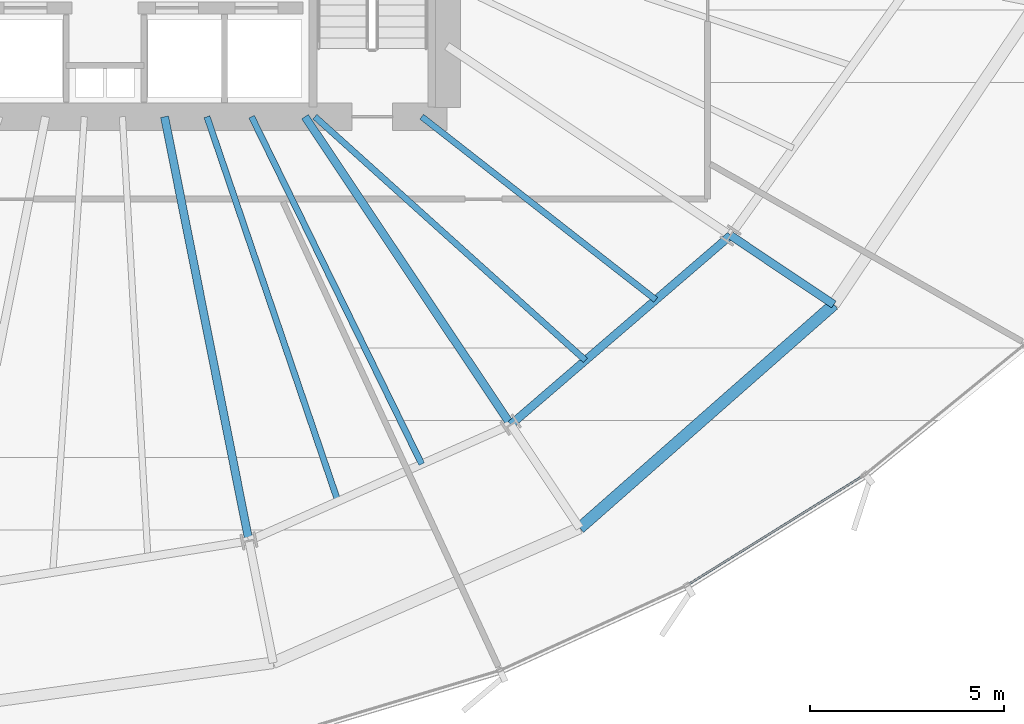
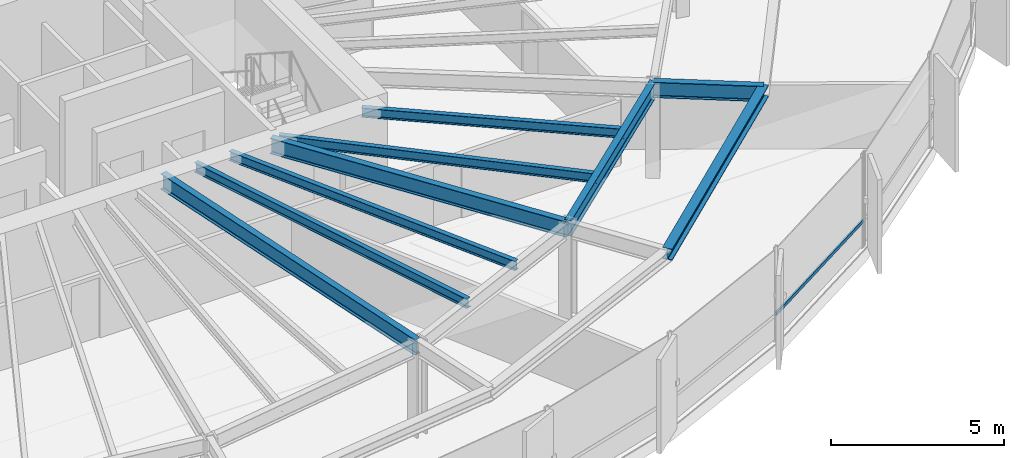
# One storey, part 12 of 35: 9 beams, 1 member, 1 element without a shape of its own.
"""IFC4 building model written with IfcOpenShell, lengths in metres."""

from ifc_helpers import new_model, si_unit, direction, frame, origin, origin_2d, place, context, subcontext, project, spatial, hollow_rectangle, i_section, extrude, source, transform, mapped, material, layer, layer_set, material_profile, profile_set, type_object, element, aggregate, save


model = new_model("IFC4")

# Units and contexts
model_context = context("Model", 3, precision=1e-05, world=origin(), true_north=direction((0.0, 1.0)))
body_context = subcontext(model_context, "Body", "Model", "MODEL_VIEW")
ifc_project = project(units=[si_unit("LENGTHUNIT", "METRE"), si_unit("AREAUNIT", "SQUARE_METRE"), si_unit("VOLUMEUNIT", "CUBIC_METRE"), si_unit("PLANEANGLEUNIT", "RADIAN"), si_unit("MASSUNIT", "GRAM", prefix="KILO"), si_unit("THERMODYNAMICTEMPERATUREUNIT", "KELVIN")], contexts=[model_context])

# Site, building, storey
site_placement = place(None, origin())
site = spatial("IfcSite", under=ifc_project, at=site_placement, CompositionType="ELEMENT")
building_placement = place(site_placement, origin())
building = spatial("IfcBuilding", under=site, at=building_placement, Name="Kethvar Cultural Tower", CompositionType="ELEMENT")
storey_placement = place(building_placement, frame((0.0, 0.0, 85.60009765625)))
storey = spatial("IfcBuildingStorey", under=building, at=storey_placement, Name="L20", CompositionType="ELEMENT", Elevation=85.60009765625)

# Beams
ifc_material_1 = material(Name="Steel S355J2", Category="steel")
ifc_material_profile_1 = material_profile(ifc_material_1, i_section(OverallWidth=0.2099609375, OverallDepth=0.550048828125, WebThickness=0.010986328125, FlangeThickness=0.01708984375, FilletRadius=0.02392578125, at=origin_2d()), Name="Steel S355J2 — IPE550")
ifc_profile_set_1 = profile_set([ifc_material_profile_1], Name="Steel S355J2 — IPE550")
beam_type_1 = type_object("IfcBeamType", Name="BM-IPE550", PredefinedType="BEAM", material=ifc_profile_set_1)
shared_shape_1 = source(origin(), body_context, "Body", "SweptSolid", [
    extrude(i_section(OverallWidth=0.2099609375, OverallDepth=0.550048828125, WebThickness=0.010986328125, FlangeThickness=0.01708984375, FilletRadius=0.02392578125, at=origin_2d()), origin(), (0.0, 0.0, 1.0), 3.199951171875),
])
beam_1_placement = place(storey_placement, frame((62.898681640625, 17.043212890625, 3.072998046875), z_axis=(0.831462943996, -0.555580212716, 0.0), x_axis=(0.555580212716, 0.831462943996, 0.0)))
element("IfcBeam", 1, at=beam_1_placement, inside=storey, type_object=beam_type_1, Name="L20 Perimeter Cantilever Beam RC-15", PredefinedType="BEAM", context=body_context, shape_type="MappedRepresentation", body=[
    mapped(shared_shape_1, transform((0.0, 0.0, 0.0), scale=1.0)),
])
shared_shape_2 = source(origin(), body_context, "Body", "SweptSolid", [
    extrude(i_section(OverallWidth=0.2099609375, OverallDepth=0.550048828125, WebThickness=0.010986328125, FlangeThickness=0.01708984375, FilletRadius=0.02392578125, at=origin_2d()), origin(), (0.0, 0.0, 1.0), 11.131591796875),
])
beam_2_placement = place(storey_placement, frame((48.33154296875, 20.10009765625, 3.072998046875), z_axis=(0.195107998266, -0.980781764213, 0.0), x_axis=(0.980781764213, 0.195107998266, 0.0)))
element("IfcBeam", 2, at=beam_2_placement, inside=storey, type_object=beam_type_1, Name="L20 Primary Radial Beam RB-13", PredefinedType="BEAM", context=body_context, shape_type="MappedRepresentation", body=[
    mapped(shared_shape_2, transform((0.0, 0.0, 0.0), scale=1.0)),
])
shared_shape_3 = source(origin(), body_context, "Body", "SweptSolid", [
    extrude(i_section(OverallWidth=0.2099609375, OverallDepth=0.550048828125, WebThickness=0.010986328125, FlangeThickness=0.01708984375, FilletRadius=0.02392578125, at=origin_2d()), origin(), (0.0, 0.0, 1.0), 9.534423828125),
])
beam_3_placement = place(storey_placement, frame((51.945068359375, 20.10009765625, 3.072998046875), z_axis=(0.555550817894, -0.831482584747, 0.0), x_axis=(0.831482584747, 0.555550817894, 0.0)))
element("IfcBeam", 3, at=beam_3_placement, inside=storey, type_object=beam_type_1, Name="L20 Primary Radial Beam RB-14", PredefinedType="BEAM", context=body_context, shape_type="MappedRepresentation", body=[
    mapped(shared_shape_3, transform((0.0, 0.0, 0.0), scale=1.0)),
])
ifc_material_profile_2 = material_profile(ifc_material_1, i_section(OverallWidth=0.159912109375, OverallDepth=0.330078125, WebThickness=0.007568359375, FlangeThickness=0.011474609375, FilletRadius=0.01806640625, at=origin_2d()), Name="Steel S355J2 — IPE330")
ifc_profile_set_2 = profile_set([ifc_material_profile_2], Name="Steel S355J2 — IPE330")
beam_type_2 = type_object("IfcBeamType", Name="BM-J330", PredefinedType="JOIST", material=ifc_profile_set_2)
shared_shape_4 = source(origin(), body_context, "Body", "SweptSolid", [
    extrude(i_section(OverallWidth=0.159912109375, OverallDepth=0.330078125, WebThickness=0.007568359375, FlangeThickness=0.011474609375, FilletRadius=0.01806640625, at=origin_2d()), origin(), (0.0, 0.0, 1.0), 10.45947265625),
])
beam_4_placement = place(storey_placement, frame((49.42236328125, 20.10009765625, 3.182861328125), z_axis=(0.322390188368, -0.94660687006, 0.0), x_axis=(0.94660687006, 0.322390188368, 0.0)))
element("IfcBeam", 4, at=beam_4_placement, inside=storey, type_object=beam_type_2, Name="L20 Composite Floor Joist J-13A", PredefinedType="JOIST", context=body_context, shape_type="MappedRepresentation", body=[
    mapped(shared_shape_4, transform((0.0, 0.0, 0.0), scale=1.0)),
])
shared_shape_5 = source(origin(), body_context, "Body", "SweptSolid", [
    extrude(i_section(OverallWidth=0.159912109375, OverallDepth=0.330078125, WebThickness=0.007568359375, FlangeThickness=0.011474609375, FilletRadius=0.01806640625, at=origin_2d()), origin(), (0.0, 0.0, 1.0), 9.959228515625),
])
beam_5_placement = place(storey_placement, frame((50.57080078125, 20.10009765625, 3.182861328125), z_axis=(0.439785134514, -0.898103020516, 0.0), x_axis=(0.898103020516, 0.439785134514, 0.0)))
element("IfcBeam", 5, at=beam_5_placement, inside=storey, type_object=beam_type_2, Name="L20 Composite Floor Joist J-13B", PredefinedType="JOIST", context=body_context, shape_type="MappedRepresentation", body=[
    mapped(shared_shape_5, transform((0.0, 0.0, 0.0), scale=1.0)),
])
shared_shape_6 = source(origin(), body_context, "Body", "SweptSolid", [
    extrude(i_section(OverallWidth=0.2099609375, OverallDepth=0.550048828125, WebThickness=0.010986328125, FlangeThickness=0.01708984375, FilletRadius=0.02392578125, at=origin_2d()), origin(), (0.0, 0.0, 1.0), 7.46484375),
])
beam_6_placement = place(storey_placement, frame((57.241943359375, 12.17236328125, 3.072998046875), z_axis=(0.757784075291, 0.652505398625, 0.0), x_axis=(-0.652505398625, 0.757784075291, 0.0)))
element("IfcBeam", 6, at=beam_6_placement, inside=storey, type_object=beam_type_1, Name="L20 Column Ring Tie Beam CR-14", PredefinedType="BEAM", context=body_context, shape_type="MappedRepresentation", body=[
    mapped(shared_shape_6, transform((0.0, 0.0, 0.0), scale=1.0)),
])
ifc_material_profile_3 = material_profile(ifc_material_1, i_section(OverallWidth=0.300048828125, OverallDepth=0.39990234375, WebThickness=0.013427734375, FlangeThickness=0.02392578125, FilletRadius=0.027099609375, at=origin_2d()), Name="Steel S355J2 — HEB400")
ifc_profile_set_3 = profile_set([ifc_material_profile_3], Name="Steel S355J2 — HEB400")
beam_type_3 = type_object("IfcBeamType", Name="BM-SP400", PredefinedType="SPANDREL", material=ifc_profile_set_3)
shared_shape_7 = source(origin(), body_context, "Body", "SweptSolid", [
    extrude(i_section(OverallWidth=0.300048828125, OverallDepth=0.39990234375, WebThickness=0.013427734375, FlangeThickness=0.02392578125, FilletRadius=0.027099609375, at=origin_2d()), origin(), (0.0, 0.0, 1.0), 8.71044921875),
])
beam_7_placement = place(storey_placement, frame((59.019775390625, 9.51171875, 3.14794921875), z_axis=(0.75077856833, 0.660553965498, 0.0), x_axis=(-0.660553965498, 0.75077856833, 0.0)))
element("IfcBeam", 7, at=beam_7_placement, inside=storey, type_object=beam_type_3, Name="L20 Perimeter Spandrel Beam SP-14", PredefinedType="SPANDREL", context=body_context, shape_type="MappedRepresentation", body=[
    mapped(shared_shape_7, transform((0.0, 0.0, 0.0), scale=1.0)),
])
shared_shape_8 = source(origin(), body_context, "Body", "SweptSolid", [
    extrude(i_section(OverallWidth=0.159912109375, OverallDepth=0.330078125, WebThickness=0.007568359375, FlangeThickness=0.011474609375, FilletRadius=0.01806640625, at=origin_2d()), origin(), (0.0, 0.0, 1.0), 9.372802734375),
])
beam_8_placement = place(storey_placement, frame((52.199951171875, 20.10009765625, 3.182861328125), z_axis=(0.743151656479, -0.669123019685, 0.0), x_axis=(0.669123019685, 0.743151656479, 0.0)))
element("IfcBeam", 8, at=beam_8_placement, inside=storey, type_object=beam_type_2, Name="L20 Composite Floor Joist J-14A", PredefinedType="JOIST", context=body_context, shape_type="MappedRepresentation", body=[
    mapped(shared_shape_8, transform((0.0, 0.0, 0.0), scale=1.0)),
])
shared_shape_9 = source(origin(), body_context, "Body", "SweptSolid", [
    extrude(i_section(OverallWidth=0.159912109375, OverallDepth=0.330078125, WebThickness=0.007568359375, FlangeThickness=0.011474609375, FilletRadius=0.01806640625, at=origin_2d()), origin(), (0.0, 0.0, 1.0), 7.649658203125),
])
beam_9_placement = place(storey_placement, frame((54.949951171875, 20.10009765625, 3.182861328125), z_axis=(0.787671994752, -0.616094821179, 0.0), x_axis=(0.616094821179, 0.787671994752, 0.0)))
element("IfcBeam", 9, at=beam_9_placement, inside=storey, type_object=beam_type_2, Name="L20 Composite Floor Joist J-14B", PredefinedType="JOIST", context=body_context, shape_type="MappedRepresentation", body=[
    mapped(shared_shape_9, transform((0.0, 0.0, 0.0), scale=1.0)),
])

# Curtain wall, member
ifc_material_2 = material(Name="Aluminium 6063-T6", Category="aluminium")
ifc_layer = layer(ifc_material_2, 0.179931640625, Name="Aluminium 6063-T6", Category="aluminium")
ifc_layer_set = layer_set([ifc_layer], Name="Aluminium 6063-T6 (180 mm)")
curtain_wall_type = type_object("IfcCurtainWallType", Name="CW-SYS-03-Z2", PredefinedType="NOTDEFINED", material=ifc_layer_set)
curtain_wall_placement = place(storey_placement, origin())
curtain_wall = element("IfcCurtainWall", 10, at=curtain_wall_placement, inside=storey, type_object=curtain_wall_type, Name="L20 Curtain Wall Run 05", PredefinedType="NOTDEFINED")
ifc_material_profile_4 = material_profile(ifc_material_2, hollow_rectangle(XDim=0.054931640625, YDim=0.1201171875, WallThickness=0.00390625, at=origin_2d()), Name="Aluminium 6063-T6 — RHS120x55x4")
ifc_profile_set_4 = profile_set([ifc_material_profile_4], Name="Aluminium 6063-T6 — RHS120x55x4")
member_type = type_object("IfcMemberType", Name="CW-SYS-03-Z2-TRN", PredefinedType="USERDEFINED", material=ifc_profile_set_4)
shared_shape_10 = source(origin(), body_context, "Body", "SweptSolid", [
    extrude(hollow_rectangle(XDim=0.054931640625, YDim=0.1201171875, WallThickness=0.00390625, at=origin_2d()), origin(), (0.0, 0.0, 1.0), 5.296875),
])
member_placement = place(storey_placement, frame((61.807861328125, 8.05615234375, 0.949951171875), z_axis=(0.849231142966, 0.52802127402, 0.0), x_axis=(-0.52802127402, 0.849231142966, 0.0)))
member = element("IfcMember", 11, at=member_placement, type_object=member_type, Name="CW-L20-R05 Transom 6", ObjectType="TRANSOM", PredefinedType="USERDEFINED", context=body_context, shape_type="MappedRepresentation", body=[
    mapped(shared_shape_10, transform((0.0, 0.0, 0.0), scale=1.0)),
])
aggregate(curtain_wall, [member])

save(model, "model.ifc")
